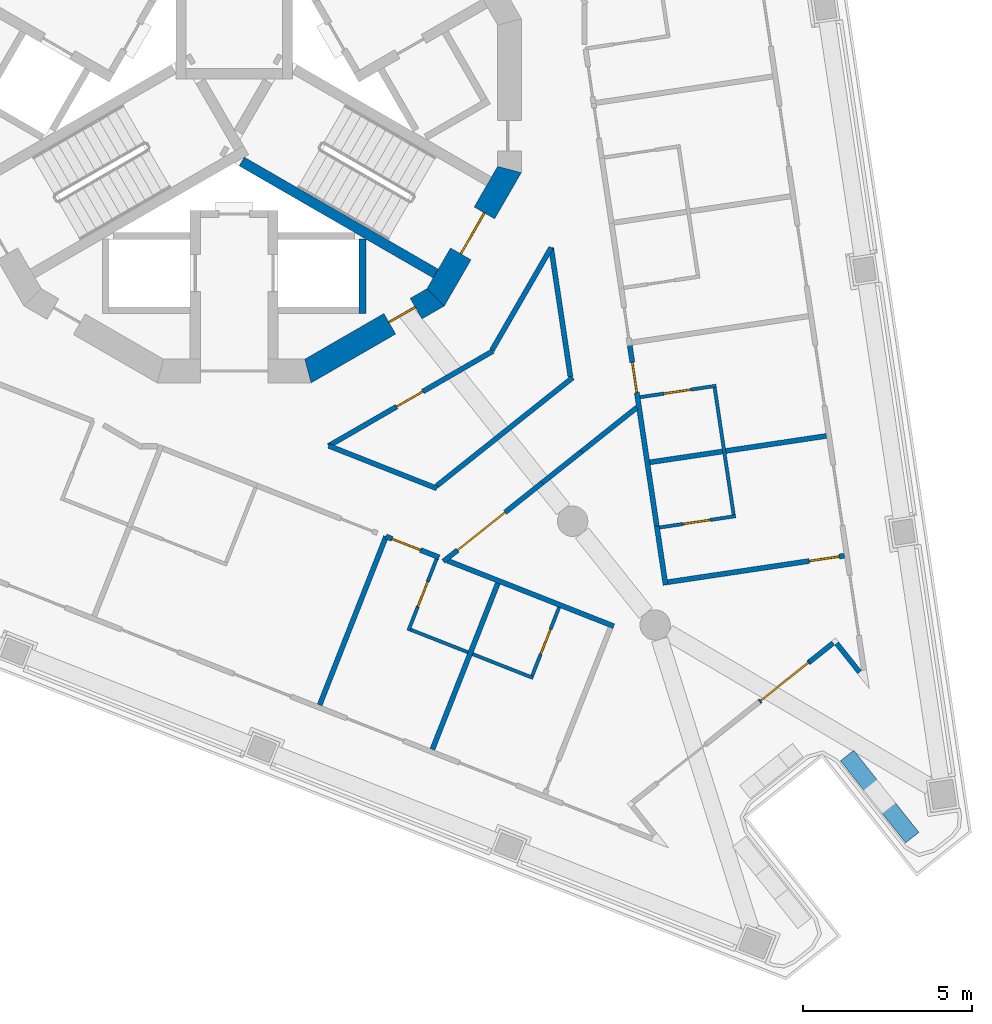
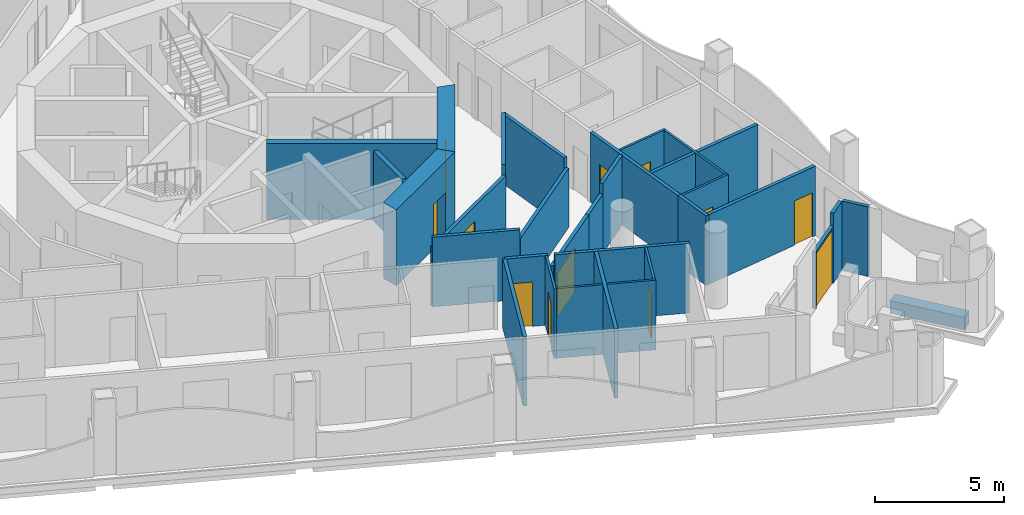
# One storey, part 5 of 16: 32 walls, 12 doors, 12 openings.
"""IFC4 building model written with IfcOpenShell, lengths in metres."""

from ifc_helpers import new_model, si_unit, direction, frame, frame_2d, origin, place, context, subcontext, project, spatial, polyline, rectangle, outline, extrude, material, layer, layer_set, type_object, element, fill, save


model = new_model("IFC4")

# Units and contexts
model_context = context("Model", 3, precision=1e-05, world=origin(), true_north=direction((0.0, 1.0)))
body_context = subcontext(model_context, "Body", "Model", "MODEL_VIEW")
ifc_project = project(units=[si_unit("LENGTHUNIT", "METRE"), si_unit("AREAUNIT", "SQUARE_METRE"), si_unit("VOLUMEUNIT", "CUBIC_METRE"), si_unit("PLANEANGLEUNIT", "RADIAN"), si_unit("MASSUNIT", "GRAM", prefix="KILO")], contexts=[model_context])

# Site, building, storey
site_placement = place(None, origin())
site = spatial("IfcSite", under=ifc_project, at=site_placement, CompositionType="ELEMENT")
building_placement = place(site_placement, origin())
building = spatial("IfcBuilding", under=site, at=building_placement, Name="Trine Commons Tower", CompositionType="ELEMENT")
storey_placement = place(building_placement, frame((0.0, 0.0, 223.199951171875)))
storey = spatial("IfcBuildingStorey", under=building, at=storey_placement, Name="L58", CompositionType="ELEMENT", Elevation=223.199951171875)

# Walls
ifc_material_1 = material(Name="Aluminium-framed insulated wall panel", Category="aluminium")
ifc_layer_1 = layer(ifc_material_1, 0.14990234375)
ifc_layer_set_1 = layer_set([ifc_layer_1], Name="Aluminium-framed insulated wall panel")
wall_type_1 = type_object("IfcWallType", Name="Glazed frame wall 150, EI 60", PredefinedType="SOLIDWALL", material=ifc_layer_set_1)
wall_1_placement = place(storey_placement, frame((98.603759765625, 45.320556640625, 0.0), z_axis=(0.0, 0.0, 1.0), x_axis=(-0.6225008228, 0.782619144676, 0.0)))
element("IfcWall", 1, at=wall_1_placement, inside=storey, type_object=wall_type_1, Name="Glazed frame wall R6", PredefinedType="SOLIDWALL", context=body_context, shape_type="SweptSolid", body=[
    extrude(outline(polyline([(0.1494140625, 0.074951171875), (0.1494140625, -0.074951171875), (1.235107421875, -0.074951171875), (1.235107421875, 0.074951171875), (0.1494140625, 0.074951171875)])), origin(), (0.0, 0.0, 1.0), 3.300048828125),
])
wall_2_placement = place(storey_placement, frame((97.815673828125, 46.367431640625, 0.0), z_axis=(0.0, 0.0, 1.0), x_axis=(-0.78265242488, -0.622458980037, 0.0)))
element("IfcWall", 2, at=wall_2_placement, inside=storey, type_object=wall_type_1, Name="Glazed frame wall P2.1", PredefinedType="SOLIDWALL", context=body_context, shape_type="SweptSolid", body=[
    extrude(outline(polyline([(0.110107421875, -0.074951171875), (1.0, -0.074951171875), (1.0, 0.074951171875), (0.110107421875, 0.074951171875), (0.110107421875, -0.074951171875)])), origin(), (0.0, 0.0, 1.0), 3.300048828125),
])

# Wall, opening, door
wall_3_placement = place(storey_placement, frame((97.033203125, 45.7451171875, 0.0), z_axis=(0.0, 0.0, 1.0), x_axis=(-0.782608167395, -0.622514623384, 0.0)))
wall_3 = element("IfcWall", 3, at=wall_3_placement, inside=storey, type_object=wall_type_1, Name="Glazed frame wall P2.2", PredefinedType="SOLIDWALL", context=body_context, shape_type="SweptSolid", body=[
    extrude(outline(polyline([(0.0, -0.074951171875), (1.89990234375, -0.074951171875), (1.89990234375, 0.074951171875), (0.0, 0.074951171875), (0.0, -0.074951171875)])), origin(), (0.0, 0.0, 1.0), 2.699951171875),
])
opening_1_placement = place(wall_3_placement, frame((0.050048828125, 0.0, 0.0)))
opening_1 = element("IfcOpeningElement", 4, at=opening_1_placement, cuts=wall_3, Name="Opening BD-6P2-01", PredefinedType="OPENING", context=body_context, shape_type="SweptSolid", body=[
    extrude(rectangle(XDim=1.800048828125, YDim=2.60009765625, at=frame_2d((0.89990234375, 1.300048828125))), frame((0.0, 0.0849609375, 0.0), z_axis=(0.0, -1.0, 0.0), x_axis=(1.0, 0.0, 0.0)), (0.0, 0.0, 1.0), 0.169921875),
])
ifc_material_2 = material(Name="Anodised aluminium frame with double glazing", Category="aluminium")
door_type_1 = type_object("IfcDoorType", Name="Sliding loggia door 1800x2600", OperationType="SLIDING_TO_LEFT", PredefinedType="DOOR", material=ifc_material_2)
door_1_placement = place(opening_1_placement, origin())
door_1 = element("IfcDoor", 5, at=door_1_placement, inside=storey, type_object=door_type_1, Name="Loggia door P2 1", OperationType="SLIDING_TO_LEFT", OverallHeight=2.60009765625, OverallWidth=1.800048828125, PredefinedType="DOOR", context=body_context, shape_type="SweptSolid", body=[
    extrude(rectangle(XDim=1.800048828125, YDim=2.60009765625, at=frame_2d((0.89990234375, 1.300048828125))), frame((0.0, 0.02490234375, 0.0), z_axis=(0.0, -1.0, 0.0), x_axis=(1.0, 0.0, 0.0)), (0.0, 0.0, 1.0), 0.050048828125),
])
fill(opening_1, door_1)

# Walls
ifc_material_3 = material(Name="Planter trough, precast concrete C40/50", Category="concrete")
ifc_layer_2 = layer(ifc_material_3, 0.5)
ifc_layer_set_2 = layer_set([ifc_layer_2], Name="Planter trough, precast concrete C40/50")
wall_type_2 = type_object("IfcWallType", Name="Planter trough 500x600", PredefinedType="PARAPET", material=ifc_layer_set_2)
wall_4_placement = place(storey_placement, frame((100.0732421875, 40.54150390625, 0.0), z_axis=(0.0, 0.0, 1.0), x_axis=(-0.622502736232, 0.782617622715, 0.0)))
element("IfcWall", 6, at=wall_4_placement, inside=storey, type_object=wall_type_2, Name="Planter 7", PredefinedType="PARAPET", context=body_context, shape_type="SweptSolid", body=[
    extrude(rectangle(XDim=3.099853515625, YDim=0.5, at=frame_2d((1.5498046875, 0.0))), origin(), (0.0, 0.0, 1.0), 0.60009765625),
])
ifc_material_4 = material(Name="Concrete C60/75", Category="concrete")
ifc_layer_3 = layer(ifc_material_4, 0.300048828125)
ifc_layer_set_3 = layer_set([ifc_layer_3], Name="Concrete C60/75")
wall_type_3 = type_object("IfcWallType", Name="RC shear wall 300 mm, C60/75", PredefinedType="SHEAR", material=ifc_layer_set_3)
wall_5_placement = place(storey_placement, frame((80.22509765625, 60.552001953125, 0.0), z_axis=(0.0, 0.0, 1.0), x_axis=(0.866009627307, -0.500027324665, 0.0)))
element("IfcWall", 7, at=wall_5_placement, inside=storey, type_object=wall_type_3, Name="Core cross wall SWC-13 L58", PredefinedType="SHEAR", context=body_context, shape_type="SweptSolid", body=[
    extrude(rectangle(XDim=6.631591796875, YDim=0.300048828125, at=frame_2d((3.31591796875, 0.0))), origin(), (0.0, 0.0, 1.0), 3.60009765625),
])

# Wall, opening, door
ifc_layer_4 = layer(ifc_material_4, 0.699951171875)
ifc_layer_set_4 = layer_set([ifc_layer_4], Name="Concrete C60/75")
wall_type_4 = type_object("IfcWallType", Name="RC shear wall 700 mm, C60/75", PredefinedType="SHEAR", material=ifc_layer_set_4)
wall_6_placement = place(storey_placement, frame((82.1025390625, 54.302978515625, 0.0), z_axis=(0.0, 0.0, 1.0), x_axis=(0.866034756103, 0.499983800959, 0.0)))
wall_6 = element("IfcWall", 8, at=wall_6_placement, inside=storey, type_object=wall_type_4, Name="Core wall CWF-11 L58", PredefinedType="SHEAR", context=body_context, shape_type="SweptSolid", body=[
    extrude(outline(polyline([(0.0, -0.35009765625), (4.55517578125, -0.35009765625), (4.36767578125, 0.35009765625), (0.1875, 0.35009765625), (0.0, -0.35009765625)])), origin(), (0.0, 0.0, 1.0), 3.60009765625),
])
opening_2_placement = place(wall_6_placement, frame((2.891845703125, 0.0, 0.0)))
opening_2 = element("IfcOpeningElement", 9, at=opening_2_placement, cuts=wall_6, Name="Opening K16.16", PredefinedType="OPENING", context=body_context, shape_type="SweptSolid", body=[
    extrude(rectangle(XDim=0.89990234375, YDim=2.10009765625, at=frame_2d((0.449951171875, 1.050048828125))), frame((0.0, 0.35986328125, 0.0), z_axis=(0.0, -1.0, 0.0), x_axis=(1.0, 0.0, 0.0)), (0.0, 0.0, 1.0), 0.719970703125),
])
ifc_material_5 = material(Name="Steel door leaf, fire-rated", Category="steel")
door_type_2 = type_object("IfcDoorType", Name="Core room door, single leaf 900 x 2100, FD30S", OperationType="SINGLE_SWING_LEFT", PredefinedType="DOOR", material=ifc_material_5)
door_2_placement = place(opening_2_placement, origin())
door_2 = element("IfcDoor", 10, at=door_2_placement, inside=storey, type_object=door_type_2, Name="Door to Core WC L58", OperationType="SINGLE_SWING_RIGHT", OverallHeight=2.10009765625, OverallWidth=0.89990234375, PredefinedType="DOOR", context=body_context, shape_type="SweptSolid", body=[
    extrude(rectangle(XDim=0.89990234375, YDim=2.10009765625, at=frame_2d((0.449951171875, 1.050048828125))), frame((0.0, 0.0751953125, 0.0), z_axis=(0.0, -1.0, 0.0), x_axis=(1.0, 0.0, 0.0)), (0.0, 0.0, 1.0), 0.050048828125),
])
fill(opening_2, door_2)

wall_7_placement = place(storey_placement, frame((85.91943359375, 56.452392578125, 0.0), z_axis=(0.0, 0.0, 1.0), x_axis=(0.499983800959, 0.866034756103, 0.0)))
wall_7 = element("IfcWall", 11, at=wall_7_placement, inside=storey, type_object=wall_type_4, Name="Core wall CWF-12 L58", PredefinedType="SHEAR", context=body_context, shape_type="SweptSolid", body=[
    extrude(outline(polyline([(0.0, -0.35009765625), (4.55517578125, -0.35009765625), (4.36767578125, 0.35009765625), (0.1875, 0.35009765625), (0.0, -0.35009765625)])), origin(), (0.0, 0.0, 1.0), 3.60009765625),
])
opening_3_placement = place(wall_7_placement, frame((1.577392578125, 0.0, 0.0)))
opening_3 = element("IfcOpeningElement", 12, at=opening_3_placement, cuts=wall_7, Name="Opening K16.03", PredefinedType="OPENING", context=body_context, shape_type="SweptSolid", body=[
    extrude(rectangle(XDim=1.39990234375, YDim=2.10009765625, at=frame_2d((0.699951171875, 1.050048828125))), frame((0.0, 0.35986328125, 0.0), z_axis=(0.0, -1.0, 0.0), x_axis=(1.0, 0.0, 0.0)), (0.0, 0.0, 1.0), 0.719970703125),
])
ifc_material_6 = material(Name="Steel door leaves, fire-rated", Category="steel")
door_type_3 = type_object("IfcDoorType", Name="Stair door, double leaf 1400 x 2100, FD90", OperationType="DOUBLE_DOOR_SINGLE_SWING", PredefinedType="DOOR", material=ifc_material_6)
door_3_placement = place(opening_3_placement, origin())
door_3 = element("IfcDoor", 13, at=door_3_placement, inside=storey, type_object=door_type_3, Name="Stair door to Exit stair ST3C L58", OperationType="DOUBLE_DOOR_SINGLE_SWING", OverallHeight=2.10009765625, OverallWidth=1.39990234375, PredefinedType="DOOR", context=body_context, shape_type="SweptSolid", body=[
    extrude(rectangle(XDim=1.39990234375, YDim=2.10009765625, at=frame_2d((0.699951171875, 1.050048828125))), frame((0.0, 0.02490234375, 0.0), z_axis=(0.0, -1.0, 0.0), x_axis=(1.0, 0.0, 0.0)), (0.0, 0.0, 1.0), 0.050048828125),
])
fill(opening_3, door_3)

# Walls
ifc_material_7 = material(Name="Fire-rated gypsum shaft wall system")
ifc_layer_5 = layer(ifc_material_7, 0.199951171875)
ifc_layer_set_5 = layer_set([ifc_layer_5], Name="Fire-rated gypsum shaft wall system")
wall_type_5 = type_object("IfcWallType", Name="Shaft wall 200 mm, EI 120", PredefinedType="PARTITIONING", material=ifc_layer_set_5)
wall_8_placement = place(storey_placement, frame((83.800048828125, 58.257080078125, 0.0), z_axis=(0.0, 0.0, 1.0), x_axis=(0.0, -1.0, 0.0)))
element("IfcWall", 14, at=wall_8_placement, inside=storey, type_object=wall_type_5, Name="Shaft wall L58", PredefinedType="PARTITIONING", context=body_context, shape_type="SweptSolid", body=[
    extrude(rectangle(XDim=2.20703125, YDim=0.199951171875, at=frame_2d((1.103515625, 0.0))), origin(), (0.0, 0.0, 1.0), 3.300048828125),
])
ifc_material_8 = material(Name="Gypsum plasterboard on steel stud", Category="steel")
ifc_layer_6 = layer(ifc_material_8, 0.14990234375)
ifc_layer_set_6 = layer_set([ifc_layer_6], Name="Gypsum plasterboard on steel stud")
wall_type_6 = type_object("IfcWallType", Name="Unit and corridor wall 150 mm, EI 60", PredefinedType="PARTITIONING", material=ifc_layer_set_6)
wall_9_placement = place(storey_placement, frame((82.53173828125, 44.46728515625, 0.0), z_axis=(0.0, 0.0, 1.0), x_axis=(0.366658333351, 0.930355666712, 0.0)))
element("IfcWall", 15, at=wall_9_placement, inside=storey, type_object=wall_type_6, Name="Partition 060", PredefinedType="PARTITIONING", context=body_context, shape_type="SweptSolid", body=[
    extrude(rectangle(XDim=5.360107421875, YDim=0.14990234375, at=frame_2d((2.68017578125, 0.0))), origin(), (0.0, 0.0, 1.0), 3.300048828125),
])

# Wall, opening, door
wall_10_placement = place(storey_placement, frame((82.798095703125, 52.135009765625, 0.0), z_axis=(0.0, 0.0, 1.0), x_axis=(0.865994393525, 0.500053707499, 0.0)))
wall_10 = element("IfcWall", 16, at=wall_10_placement, inside=storey, type_object=wall_type_6, Name="Partition 063", PredefinedType="PARTITIONING", context=body_context, shape_type="SweptSolid", body=[
    extrude(rectangle(XDim=5.6142578125, YDim=0.14990234375, at=frame_2d((2.80712890625, 0.0))), origin(), (0.0, 0.0, 1.0), 2.800048828125),
])
opening_4_placement = place(wall_10_placement, frame((2.321533203125, 0.0, 0.0)))
opening_4 = element("IfcOpeningElement", 17, at=opening_4_placement, cuts=wall_10, Name="Opening D-6C26", PredefinedType="OPENING", context=body_context, shape_type="SweptSolid", body=[
    extrude(rectangle(XDim=0.89990234375, YDim=2.10009765625, at=frame_2d((0.449951171875, 1.050048828125))), frame((0.0, 0.0849609375, 0.0), z_axis=(0.0, -1.0, 0.0), x_axis=(1.0, 0.0, 0.0)), (0.0, 0.0, 1.0), 0.169921875),
])
ifc_material_9 = material(Name="Timber fire door set", Category="wood")
door_type_4 = type_object("IfcDoorType", Name="Service door 900 x 2100, FD30S", OperationType="NOTDEFINED", PredefinedType="DOOR", material=ifc_material_9)
door_4_placement = place(opening_4_placement, frame((0.89990234375, 0.0, 0.0), z_axis=(0.0, 0.0, 1.0), x_axis=(-1.0, 0.0, 0.0)))
door_4 = element("IfcDoor", 18, at=door_4_placement, inside=storey, type_object=door_type_4, Name="Door D-6C26", OperationType="SINGLE_SWING_RIGHT", OverallHeight=2.10009765625, OverallWidth=0.89990234375, PredefinedType="DOOR", context=body_context, shape_type="SweptSolid", body=[
    extrude(rectangle(XDim=0.89990234375, YDim=2.10009765625, at=frame_2d((0.449951171875, 1.050048828125))), frame((0.0, 0.02490234375, 0.0), z_axis=(0.0, -1.0, 0.0), x_axis=(1.0, 0.0, 0.0)), (0.0, 0.0, 1.0), 0.050048828125),
])
fill(opening_4, door_4)

# Wall
wall_11_placement = place(storey_placement, frame((82.801025390625, 52.136962890625, 0.0), z_axis=(0.0, 0.0, 1.0), x_axis=(0.930387129981, -0.366578488685, 0.0)))
element("IfcWall", 19, at=wall_11_placement, inside=storey, type_object=wall_type_6, Name="Partition 064", PredefinedType="PARTITIONING", context=body_context, shape_type="SweptSolid", body=[
    extrude(rectangle(XDim=3.441162109375, YDim=0.14990234375, at=frame_2d((1.720703125, 0.0))), origin(), (0.0, 0.0, 1.0), 3.300048828125),
])

# Wall, opening, door
wall_12_placement = place(storey_placement, frame((84.492919921875, 49.455078125, 0.0), z_axis=(0.0, 0.0, 1.0), x_axis=(0.930558708254, -0.366142718748, 0.0)))
wall_12 = element("IfcWall", 20, at=wall_12_placement, inside=storey, type_object=wall_type_6, Name="Partition 071", PredefinedType="PARTITIONING", context=body_context, shape_type="SweptSolid", body=[
    extrude(rectangle(XDim=1.6943359375, YDim=0.14990234375, at=frame_2d((0.84716796875, 0.0))), origin(), (0.0, 0.0, 1.0), 3.300048828125),
])
opening_5_placement = place(wall_12_placement, frame((0.19775390625, 0.0, 0.0)))
opening_5 = element("IfcOpeningElement", 21, at=opening_5_placement, cuts=wall_12, Name="Opening D-6C21", PredefinedType="OPENING", context=body_context, shape_type="SweptSolid", body=[
    extrude(rectangle(XDim=0.89990234375, YDim=2.10009765625, at=frame_2d((0.449951171875, 1.050048828125))), frame((0.0, 0.0849609375, 0.0), z_axis=(0.0, -1.0, 0.0), x_axis=(1.0, 0.0, 0.0)), (0.0, 0.0, 1.0), 0.169921875),
])
door_type_5 = type_object("IfcDoorType", Name="Bedroom door 900 x 2100, FD30S", OperationType="NOTDEFINED", PredefinedType="DOOR", material=ifc_material_9)
door_5_placement = place(opening_5_placement, frame((0.89990234375, 0.0, 0.0), z_axis=(0.0, 0.0, 1.0), x_axis=(-1.0, 0.0, 0.0)))
door_5 = element("IfcDoor", 22, at=door_5_placement, inside=storey, type_object=door_type_5, Name="Door D-6C21", OperationType="SINGLE_SWING_RIGHT", OverallHeight=2.10009765625, OverallWidth=0.89990234375, PredefinedType="DOOR", context=body_context, shape_type="SweptSolid", body=[
    extrude(rectangle(XDim=0.89990234375, YDim=2.10009765625, at=frame_2d((0.449951171875, 1.050048828125))), frame((0.0, 0.02490234375, 0.0), z_axis=(0.0, -1.0, 0.0), x_axis=(1.0, 0.0, 0.0)), (0.0, 0.0, 1.0), 0.050048828125),
])
fill(opening_5, door_5)

# Walls
wall_13_placement = place(storey_placement, frame((85.86865234375, 43.152099609375, 0.0), z_axis=(0.0, 0.0, 1.0), x_axis=(0.366408201445, 0.930454206242, 0.0)))
element("IfcWall", 23, at=wall_13_placement, inside=storey, type_object=wall_type_6, Name="Partition 075", PredefinedType="PARTITIONING", context=body_context, shape_type="SweptSolid", body=[
    extrude(rectangle(XDim=5.285888671875, YDim=0.14990234375, at=frame_2d((2.64306640625, 0.0))), origin(), (0.0, 0.0, 1.0), 3.300048828125),
])
wall_14_placement = place(storey_placement, frame((85.99169921875, 50.94970703125, 0.0), z_axis=(0.0, 0.0, 1.0), x_axis=(0.782530221945, 0.622612601657, 0.0)))
element("IfcWall", 24, at=wall_14_placement, inside=storey, type_object=wall_type_6, Name="Partition 076", PredefinedType="PARTITIONING", context=body_context, shape_type="SweptSolid", body=[
    extrude(rectangle(XDim=5.152587890625, YDim=0.14990234375, at=frame_2d((2.576171875, 0.0))), origin(), (0.0, 0.0, 1.0), 2.800048828125),
])

# Wall, opening, door
wall_15_placement = place(storey_placement, frame((86.1943359375, 48.71533203125, 0.0), z_axis=(0.0, 0.0, 1.0), x_axis=(0.782511991975, 0.622635513294, 0.0)))
wall_15 = element("IfcWall", 25, at=wall_15_placement, inside=storey, type_object=wall_type_6, Name="Partition 077", PredefinedType="PARTITIONING", context=body_context, shape_type="SweptSolid", body=[
    extrude(rectangle(XDim=3.733642578125, YDim=0.14990234375, at=frame_2d((1.86669921875, 0.0))), origin(), (0.0, 0.0, 1.0), 2.800048828125),
])
opening_6_placement = place(wall_15_placement, frame((0.536865234375, 0.0, 0.0)))
opening_6 = element("IfcOpeningElement", 26, at=opening_6_placement, cuts=wall_15, Name="Opening D-6C02", PredefinedType="OPENING", context=body_context, shape_type="SweptSolid", body=[
    extrude(rectangle(XDim=1.800048828125, YDim=2.10009765625, at=frame_2d((0.89990234375, 1.050048828125))), frame((0.0, 0.0849609375, 0.0), z_axis=(0.0, -1.0, 0.0), x_axis=(1.0, 0.0, 0.0)), (0.0, 0.0, 1.0), 0.169921875),
])
door_type_6 = type_object("IfcDoorType", Name="Cluster entrance door 1800 x 2100, double leaf, FD30S", OperationType="DOUBLE_DOOR_DOUBLE_SWING", PredefinedType="DOOR", material=ifc_material_9)
door_6_placement = place(opening_6_placement, frame((1.800048828125, 0.0, 0.0), z_axis=(0.0, 0.0, 1.0), x_axis=(-1.0, 0.0, 0.0)))
door_6 = element("IfcDoor", 27, at=door_6_placement, inside=storey, type_object=door_type_6, Name="Door D-6C02", OperationType="DOUBLE_DOOR_DOUBLE_SWING", OverallHeight=2.10009765625, OverallWidth=1.800048828125, PredefinedType="DOOR", context=body_context, shape_type="SweptSolid", body=[
    extrude(rectangle(XDim=1.800048828125, YDim=2.10009765625, at=frame_2d((0.89990234375, 1.050048828125))), frame((0.0, 0.02490234375, 0.0), z_axis=(0.0, -1.0, 0.0), x_axis=(1.0, 0.0, 0.0)), (0.0, 0.0, 1.0), 0.050048828125),
])
fill(opening_6, door_6)

# Walls
wall_16_placement = place(storey_placement, frame((86.32275390625, 48.734619140625, 0.0), z_axis=(0.0, 0.0, 1.0), x_axis=(0.930382606838, -0.366589968348, 0.0)))
element("IfcWall", 28, at=wall_16_placement, inside=storey, type_object=wall_type_6, Name="Partition 078", PredefinedType="PARTITIONING", context=body_context, shape_type="SweptSolid", body=[
    extrude(rectangle(XDim=5.283935546875, YDim=0.14990234375, at=frame_2d((2.64208984375, 0.0))), origin(), (0.0, 0.0, 1.0), 3.300048828125),
])
wall_17_placement = place(storey_placement, frame((87.632568359375, 54.969970703125, 0.0), z_axis=(0.0, 0.0, 1.0), x_axis=(0.50005009493, 0.865996479531, 0.0)))
element("IfcWall", 29, at=wall_17_placement, inside=storey, type_object=wall_type_6, Name="Partition 082", PredefinedType="PARTITIONING", context=body_context, shape_type="SweptSolid", body=[
    extrude(rectangle(XDim=3.504638671875, YDim=0.14990234375, at=frame_2d((1.75244140625, 0.0))), origin(), (0.0, 0.0, 1.0), 3.300048828125),
])
wall_18_placement = place(storey_placement, frame((89.115966796875, 51.0400390625, 0.0), z_axis=(0.0, 0.0, 1.0), x_axis=(0.7828906441, 0.622159336007, 0.0)))
element("IfcWall", 30, at=wall_18_placement, inside=storey, type_object=wall_type_6, Name="Partition 092", PredefinedType="PARTITIONING", context=body_context, shape_type="SweptSolid", body=[
    extrude(rectangle(XDim=1.4931640625, YDim=0.14990234375, at=frame_2d((0.74658203125, 0.0))), origin(), (0.0, 0.0, 1.0), 2.800048828125),
])
wall_19_placement = place(storey_placement, frame((89.383056640625, 58.001953125, 0.0), z_axis=(0.0, 0.0, 1.0), x_axis=(0.14791043165, -0.989000760469, 0.0)))
element("IfcWall", 31, at=wall_19_placement, inside=storey, type_object=wall_type_6, Name="Partition 094", PredefinedType="PARTITIONING", context=body_context, shape_type="SweptSolid", body=[
    extrude(rectangle(XDim=3.859130859375, YDim=0.14990234375, at=frame_2d((1.9296875, 0.0))), origin(), (0.0, 0.0, 1.0), 3.300048828125),
])
wall_20_placement = place(storey_placement, frame((90.284912109375, 51.968994140625, 0.0), z_axis=(0.0, 0.0, 1.0), x_axis=(0.782529911794, 0.622612991471, 0.0)))
element("IfcWall", 32, at=wall_20_placement, inside=storey, type_object=wall_type_6, Name="Partition 099", PredefinedType="PARTITIONING", context=body_context, shape_type="SweptSolid", body=[
    extrude(rectangle(XDim=2.090087890625, YDim=0.14990234375, at=frame_2d((1.044921875, 0.0))), origin(), (0.0, 0.0, 1.0), 3.300048828125),
])

# Wall, opening, door
wall_21_placement = place(storey_placement, frame((91.698974609375, 55.18798828125, 0.0), z_axis=(0.0, 0.0, 1.0), x_axis=(0.147922673627, -0.988998929538, 0.0)))
wall_21 = element("IfcWall", 33, at=wall_21_placement, inside=storey, type_object=wall_type_6, Name="Partition 112", PredefinedType="PARTITIONING", context=body_context, shape_type="SweptSolid", body=[
    extrude(rectangle(XDim=5.5439453125, YDim=0.14990234375, at=frame_2d((2.77197265625, 0.0))), origin(), (0.0, 0.0, 1.0), 3.300048828125),
])
opening_7_placement = place(wall_21_placement, frame((0.590087890625, 0.0, 0.0)))
opening_7 = element("IfcOpeningElement", 34, at=opening_7_placement, cuts=wall_21, Name="Opening D-6C18", PredefinedType="OPENING", context=body_context, shape_type="SweptSolid", body=[
    extrude(rectangle(XDim=0.89990234375, YDim=2.10009765625, at=frame_2d((0.449951171875, 1.050048828125))), frame((0.0, 0.0849609375, 0.0), z_axis=(0.0, -1.0, 0.0), x_axis=(1.0, 0.0, 0.0)), (0.0, 0.0, 1.0), 0.169921875),
])
door_7_placement = place(opening_7_placement, origin())
door_7 = element("IfcDoor", 35, at=door_7_placement, inside=storey, type_object=door_type_5, Name="Door D-6C18", OperationType="SINGLE_SWING_LEFT", OverallHeight=2.10009765625, OverallWidth=0.89990234375, PredefinedType="DOOR", context=body_context, shape_type="SweptSolid", body=[
    extrude(rectangle(XDim=0.89990234375, YDim=2.10009765625, at=frame_2d((0.449951171875, 1.050048828125))), frame((0.0, 0.02490234375, 0.0), z_axis=(0.0, -1.0, 0.0), x_axis=(1.0, 0.0, 0.0)), (0.0, 0.0, 1.0), 0.050048828125),
])
fill(opening_7, door_7)

# Walls
wall_22_placement = place(storey_placement, frame((92.30419921875, 51.649169921875, 0.0), z_axis=(0.0, 0.0, 1.0), x_axis=(0.989097136126, 0.147264575874, 0.0)))
element("IfcWall", 36, at=wall_22_placement, inside=storey, type_object=wall_type_6, Name="Partition 116", PredefinedType="PARTITIONING", context=body_context, shape_type="SweptSolid", body=[
    extrude(rectangle(XDim=2.175048828125, YDim=0.14990234375, at=frame_2d((1.08740234375, 0.0))), origin(), (0.0, 0.0, 1.0), 3.300048828125),
])
wall_23_placement = place(storey_placement, frame((92.510498046875, 49.762451171875, 0.0), z_axis=(0.0, 0.0, 1.0), x_axis=(0.147596346484, -0.989047682624, 0.0)))
element("IfcWall", 37, at=wall_23_placement, inside=storey, type_object=wall_type_6, Name="Partition 117", PredefinedType="PARTITIONING", context=body_context, shape_type="SweptSolid", body=[
    extrude(rectangle(XDim=1.764892578125, YDim=0.14990234375, at=frame_2d((0.88232421875, 0.0))), origin(), (0.0, 0.0, 1.0), 3.300048828125),
])

# Wall, opening, door
wall_24_placement = place(storey_placement, frame((92.834228515625, 48.10205078125, 0.0), z_axis=(0.0, 0.0, 1.0), x_axis=(0.989020900083, 0.147775705715, 0.0)))
wall_24 = element("IfcWall", 38, at=wall_24_placement, inside=storey, type_object=wall_type_6, Name="Partition 121", PredefinedType="PARTITIONING", context=body_context, shape_type="SweptSolid", body=[
    extrude(rectangle(XDim=5.28515625, YDim=0.14990234375, at=frame_2d((2.642578125, 0.0))), origin(), (0.0, 0.0, 1.0), 3.300048828125),
])
opening_8_placement = place(wall_24_placement, frame((4.2353515625, 0.0, 0.0)))
opening_8 = element("IfcOpeningElement", 39, at=opening_8_placement, cuts=wall_24, Name="Opening D-6C19", PredefinedType="OPENING", context=body_context, shape_type="SweptSolid", body=[
    extrude(rectangle(XDim=0.89990234375, YDim=2.10009765625, at=frame_2d((0.449951171875, 1.050048828125))), frame((0.0, 0.0849609375, 0.0), z_axis=(0.0, -1.0, 0.0), x_axis=(1.0, 0.0, 0.0)), (0.0, 0.0, 1.0), 0.169921875),
])
door_8_placement = place(opening_8_placement, origin())
door_8 = element("IfcDoor", 40, at=door_8_placement, inside=storey, type_object=door_type_5, Name="Door D-6C19", OperationType="SINGLE_SWING_RIGHT", OverallHeight=2.10009765625, OverallWidth=0.89990234375, PredefinedType="DOOR", context=body_context, shape_type="SweptSolid", body=[
    extrude(rectangle(XDim=0.89990234375, YDim=2.10009765625, at=frame_2d((0.449951171875, 1.050048828125))), frame((0.0, 0.02490234375, 0.0), z_axis=(0.0, -1.0, 0.0), x_axis=(1.0, 0.0, 0.0)), (0.0, 0.0, 1.0), 0.050048828125),
])
fill(opening_8, door_8)

# Wall
wall_25_placement = place(storey_placement, frame((94.554443359375, 51.984375, 0.0), z_axis=(0.0, 0.0, 1.0), x_axis=(0.988973205447, 0.148094560698, 0.0)))
element("IfcWall", 41, at=wall_25_placement, inside=storey, type_object=wall_type_6, Name="Partition 124", PredefinedType="PARTITIONING", context=body_context, shape_type="SweptSolid", body=[
    extrude(rectangle(XDim=3.01025390625, YDim=0.14990234375, at=frame_2d((1.505126953125, 0.0))), origin(), (0.0, 0.0, 1.0), 3.300048828125),
])

# Wall, opening, door
ifc_layer_7 = layer(ifc_material_8, 0.10009765625)
ifc_layer_set_7 = layer_set([ifc_layer_7], Name="Gypsum plasterboard on steel stud")
wall_type_7 = type_object("IfcWallType", Name="Unit partition 100 mm, no rating", PredefinedType="PARTITIONING", material=ifc_layer_set_7)
wall_26_placement = place(storey_placement, frame((85.15771484375, 46.66748046875, 0.0), z_axis=(0.0, 0.0, 1.0), x_axis=(0.366482291334, 0.930425026608, 0.0)))
wall_26 = element("IfcWall", 42, at=wall_26_placement, inside=storey, type_object=wall_type_7, Name="Partition 073", PredefinedType="PARTITIONING", context=body_context, shape_type="SweptSolid", body=[
    extrude(rectangle(XDim=2.27490234375, YDim=0.10009765625, at=frame_2d((1.137451171875, 0.0))), origin(), (0.0, 0.0, 1.0), 3.300048828125),
])
opening_9_placement = place(wall_26_placement, frame((0.762451171875, 0.0, 0.0)))
opening_9 = element("IfcOpeningElement", 43, at=opening_9_placement, cuts=wall_26, Name="Opening D-6C44", PredefinedType="OPENING", context=body_context, shape_type="SweptSolid", body=[
    extrude(rectangle(XDim=0.800048828125, YDim=2.10009765625, at=frame_2d((0.39990234375, 1.050048828125))), frame((0.0, 0.06005859375, 0.0), z_axis=(0.0, -1.0, 0.0), x_axis=(1.0, 0.0, 0.0)), (0.0, 0.0, 1.0), 0.1201171875),
])
ifc_material_10 = material(Name="Painted timber", Category="wood")
door_type_7 = type_object("IfcDoorType", Name="Internal door 800 x 2100, NOT RATED", OperationType="NOTDEFINED", PredefinedType="DOOR", material=ifc_material_10)
door_9_placement = place(opening_9_placement, origin())
door_9 = element("IfcDoor", 44, at=door_9_placement, inside=storey, type_object=door_type_7, Name="Door D-6C44", OperationType="SINGLE_SWING_RIGHT", OverallHeight=2.10009765625, OverallWidth=0.800048828125, PredefinedType="DOOR", context=body_context, shape_type="SweptSolid", body=[
    extrude(rectangle(XDim=0.800048828125, YDim=2.10009765625, at=frame_2d((0.39990234375, 1.050048828125))), frame((0.0, 0.02490234375, 0.0), z_axis=(0.0, -1.0, 0.0), x_axis=(1.0, 0.0, 0.0)), (0.0, 0.0, 1.0), 0.050048828125),
])
fill(opening_9, door_9)

# Walls
wall_27_placement = place(storey_placement, frame((85.222412109375, 46.69580078125, 0.0), z_axis=(0.0, 0.0, 1.0), x_axis=(0.930520354764, -0.366240179895, 0.0)))
element("IfcWall", 45, at=wall_27_placement, inside=storey, type_object=wall_type_7, Name="Partition 074", PredefinedType="PARTITIONING", context=body_context, shape_type="SweptSolid", body=[
    extrude(rectangle(XDim=1.824462890625, YDim=0.10009765625, at=frame_2d((0.912109375, 0.0))), origin(), (0.0, 0.0, 1.0), 3.300048828125),
])
wall_28_placement = place(storey_placement, frame((87.059814453125, 45.972412109375, 0.0), z_axis=(0.0, 0.0, 1.0), x_axis=(0.930345464998, -0.366684218038, 0.0)))
element("IfcWall", 46, at=wall_28_placement, inside=storey, type_object=wall_type_7, Name="Partition 080", PredefinedType="PARTITIONING", context=body_context, shape_type="SweptSolid", body=[
    extrude(rectangle(XDim=1.9248046875, YDim=0.10009765625, at=frame_2d((0.96240234375, 0.0))), origin(), (0.0, 0.0, 1.0), 3.300048828125),
])

# Wall, opening, door
wall_29_placement = place(storey_placement, frame((88.822265625, 45.33154296875, 0.0), z_axis=(0.0, 0.0, 1.0), x_axis=(0.366489184141, 0.930422311592, 0.0)))
wall_29 = element("IfcWall", 47, at=wall_29_placement, inside=storey, type_object=wall_type_7, Name="Partition 088", PredefinedType="PARTITIONING", context=body_context, shape_type="SweptSolid", body=[
    extrude(rectangle(XDim=2.175048828125, YDim=0.10009765625, at=frame_2d((1.08740234375, 0.0))), origin(), (0.0, 0.0, 1.0), 3.300048828125),
])
opening_10_placement = place(wall_29_placement, frame((0.6875, 0.0, 0.0)))
opening_10 = element("IfcOpeningElement", 48, at=opening_10_placement, cuts=wall_29, Name="Opening D-6C43", PredefinedType="OPENING", context=body_context, shape_type="SweptSolid", body=[
    extrude(rectangle(XDim=0.800048828125, YDim=2.10009765625, at=frame_2d((0.39990234375, 1.050048828125))), frame((0.0, 0.06005859375, 0.0), z_axis=(0.0, -1.0, 0.0), x_axis=(1.0, 0.0, 0.0)), (0.0, 0.0, 1.0), 0.1201171875),
])
door_10_placement = place(opening_10_placement, frame((0.800048828125, 0.0, 0.0), z_axis=(0.0, 0.0, 1.0), x_axis=(-1.0, 0.0, 0.0)))
door_10 = element("IfcDoor", 49, at=door_10_placement, inside=storey, type_object=door_type_7, Name="Door D-6C43", OperationType="SINGLE_SWING_LEFT", OverallHeight=2.10009765625, OverallWidth=0.800048828125, PredefinedType="DOOR", context=body_context, shape_type="SweptSolid", body=[
    extrude(rectangle(XDim=0.800048828125, YDim=2.10009765625, at=frame_2d((0.39990234375, 1.050048828125))), frame((0.0, 0.02490234375, 0.0), z_axis=(0.0, -1.0, 0.0), x_axis=(1.0, 0.0, 0.0)), (0.0, 0.0, 1.0), 0.050048828125),
])
fill(opening_10, door_10)

wall_30_placement = place(storey_placement, frame((92.01611328125, 53.5771484375, 0.0), z_axis=(0.0, 0.0, 1.0), x_axis=(0.989025888794, 0.147742313828, 0.0)))
wall_30 = element("IfcWall", 50, at=wall_30_placement, inside=storey, type_object=wall_type_7, Name="Partition 114", PredefinedType="PARTITIONING", context=body_context, shape_type="SweptSolid", body=[
    extrude(rectangle(XDim=2.275390625, YDim=0.10009765625, at=frame_2d((1.1376953125, 0.0))), origin(), (0.0, 0.0, 1.0), 3.300048828125),
])
opening_11_placement = place(wall_30_placement, frame((0.712646484375, 0.0, 0.0)))
opening_11 = element("IfcOpeningElement", 51, at=opening_11_placement, cuts=wall_30, Name="Opening D-6C41", PredefinedType="OPENING", context=body_context, shape_type="SweptSolid", body=[
    extrude(rectangle(XDim=0.800048828125, YDim=2.10009765625, at=frame_2d((0.39990234375, 1.050048828125))), frame((0.0, 0.06005859375, 0.0), z_axis=(0.0, -1.0, 0.0), x_axis=(1.0, 0.0, 0.0)), (0.0, 0.0, 1.0), 0.1201171875),
])
door_11_placement = place(opening_11_placement, origin())
door_11 = element("IfcDoor", 52, at=door_11_placement, inside=storey, type_object=door_type_7, Name="Door D-6C41", OperationType="SINGLE_SWING_LEFT", OverallHeight=2.10009765625, OverallWidth=0.800048828125, PredefinedType="DOOR", context=body_context, shape_type="SweptSolid", body=[
    extrude(rectangle(XDim=0.800048828125, YDim=2.10009765625, at=frame_2d((0.39990234375, 1.050048828125))), frame((0.0, 0.02490234375, 0.0), z_axis=(0.0, -1.0, 0.0), x_axis=(1.0, 0.0, 0.0)), (0.0, 0.0, 1.0), 0.050048828125),
])
fill(opening_11, door_11)

wall_31_placement = place(storey_placement, frame((92.59326171875, 49.72021484375, 0.0), z_axis=(0.0, 0.0, 1.0), x_axis=(0.989014169634, 0.147820743687, 0.0)))
wall_31 = element("IfcWall", 53, at=wall_31_placement, inside=storey, type_object=wall_type_7, Name="Partition 118", PredefinedType="PARTITIONING", context=body_context, shape_type="SweptSolid", body=[
    extrude(rectangle(XDim=2.274169921875, YDim=0.10009765625, at=frame_2d((1.13720703125, 0.0))), origin(), (0.0, 0.0, 1.0), 3.300048828125),
])
opening_12_placement = place(wall_31_placement, frame((0.712158203125, 0.0, 0.0)))
opening_12 = element("IfcOpeningElement", 54, at=opening_12_placement, cuts=wall_31, Name="Opening D-6C42", PredefinedType="OPENING", context=body_context, shape_type="SweptSolid", body=[
    extrude(rectangle(XDim=0.800048828125, YDim=2.10009765625, at=frame_2d((0.39990234375, 1.050048828125))), frame((0.0, 0.06005859375, 0.0), z_axis=(0.0, -1.0, 0.0), x_axis=(1.0, 0.0, 0.0)), (0.0, 0.0, 1.0), 0.1201171875),
])
door_12_placement = place(opening_12_placement, frame((0.800048828125, 0.0, 0.0), z_axis=(0.0, 0.0, 1.0), x_axis=(-1.0, 0.0, 0.0)))
door_12 = element("IfcDoor", 55, at=door_12_placement, inside=storey, type_object=door_type_7, Name="Door D-6C42", OperationType="SINGLE_SWING_RIGHT", OverallHeight=2.10009765625, OverallWidth=0.800048828125, PredefinedType="DOOR", context=body_context, shape_type="SweptSolid", body=[
    extrude(rectangle(XDim=0.800048828125, YDim=2.10009765625, at=frame_2d((0.39990234375, 1.050048828125))), frame((0.0, 0.02490234375, 0.0), z_axis=(0.0, -1.0, 0.0), x_axis=(1.0, 0.0, 0.0)), (0.0, 0.0, 1.0), 0.050048828125),
])
fill(opening_12, door_12)

# Wall
wall_32_placement = place(storey_placement, frame((94.224365234375, 53.8564453125, 0.0), z_axis=(0.0, 0.0, 1.0), x_axis=(0.147715184464, -0.989029941043, 0.0)))
element("IfcWall", 56, at=wall_32_placement, inside=storey, type_object=wall_type_7, Name="Partition 123", PredefinedType="PARTITIONING", context=body_context, shape_type="SweptSolid", body=[
    extrude(rectangle(XDim=3.7998046875, YDim=0.10009765625, at=frame_2d((1.89990234375, 0.0))), origin(), (0.0, 0.0, 1.0), 3.300048828125),
])

save(model, "model.ifc")
